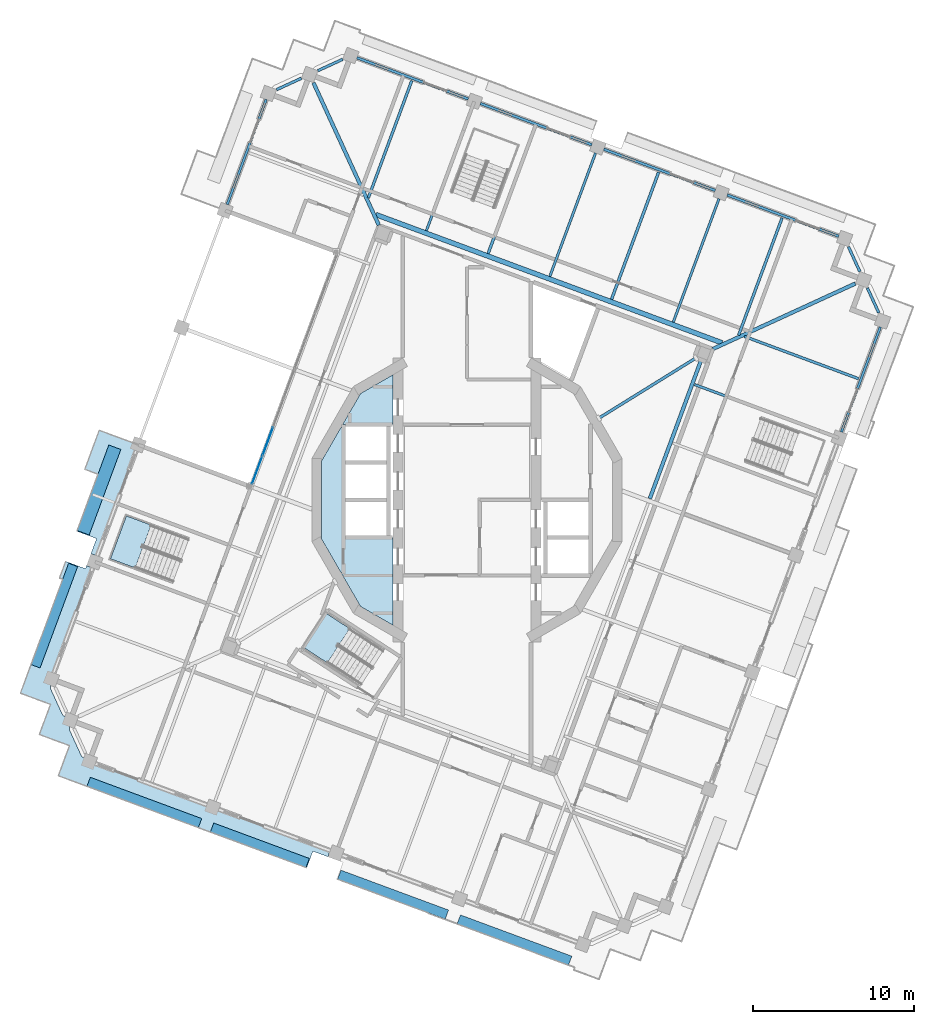
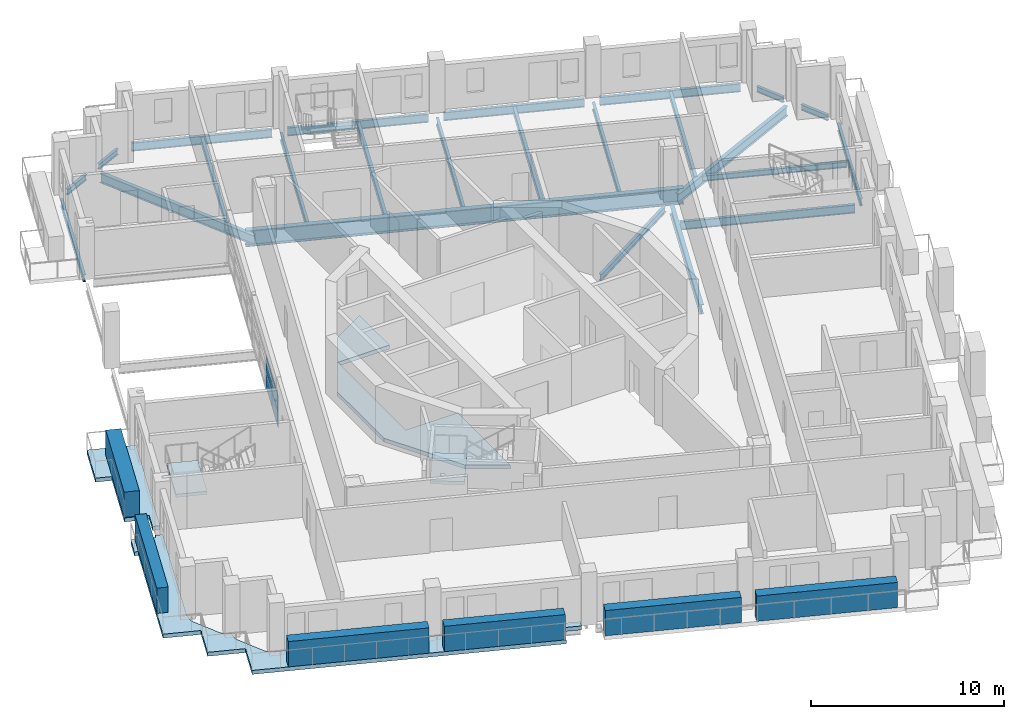
# One storey, part 5 of 20: 24 beams, 10 plates, 5 slabs, 3 elements without a shape of their own.
"""IFC4 building model written with IfcOpenShell, lengths in metres."""

from ifc_helpers import new_model, si_unit, direction, frame, origin, origin_2d, place, context, subcontext, project, spatial, polyline, rectangle, i_section, outline, extrude, material, layer, layer_set, material_profile, profile_set, type_object, element, aggregate, save


model = new_model("IFC4")

# Units and contexts
model_context = context("Model", 3, precision=1e-05, world=origin(), true_north=direction((0.0, 1.0)))
body_context = subcontext(model_context, "Body", "Model", "MODEL_VIEW")
ifc_project = project(units=[si_unit("LENGTHUNIT", "METRE"), si_unit("AREAUNIT", "SQUARE_METRE"), si_unit("VOLUMEUNIT", "CUBIC_METRE"), si_unit("PLANEANGLEUNIT", "RADIAN"), si_unit("MASSUNIT", "GRAM", prefix="KILO")], contexts=[model_context])

# Site, building, storey
site_placement = place(None, origin())
site = spatial("IfcSite", under=ifc_project, at=site_placement, CompositionType="ELEMENT")
building_placement = place(site_placement, origin())
building = spatial("IfcBuilding", under=site, at=building_placement, Name="Cantera Rosa Tower", CompositionType="ELEMENT")
storey_placement = place(building_placement, frame((0.0, 0.0, 309.699951171875)))
storey = spatial("IfcBuildingStorey", under=building, at=storey_placement, Name="L68", CompositionType="ELEMENT", Elevation=309.699951171875)

# Beams
ifc_material_1 = material(Name="Steel ASTM A992 (Fy 345 MPa)", Category="steel")
ifc_material_profile_1 = material_profile(ifc_material_1, i_section(OverallWidth=0.302001953125, OverallDepth=1.010009765625, WebThickness=0.02099609375, FlangeThickness=0.0400390625, FilletRadius=0.030029296875, at=origin_2d()), Name="W1000X350")
ifc_profile_set_1 = profile_set([ifc_material_profile_1], Name="Steel ASTM A992 (Fy 345 MPa)")
beam_type_1 = type_object("IfcBeamType", Name="STEEL BEAM W1000X350", PredefinedType="BEAM", material=ifc_profile_set_1)
beam_1_placement = place(storey_placement, frame((15.891357421875, 9.787841796875, -0.7548828125), z_axis=(-0.937685748232, 0.347484442189, 0.0), x_axis=(-0.347484442189, -0.937685748232, 0.0)))
element("IfcBeam", 1, at=beam_1_placement, inside=storey, type_object=beam_type_1, Name="RB-Z6-07 L68", PredefinedType="BEAM", context=body_context, shape_type="SweptSolid", body=[
    extrude(i_section(OverallWidth=0.302001953125, OverallDepth=1.010009765625, WebThickness=0.02099609375, FlangeThickness=0.0400390625, FilletRadius=0.030029296875, at=origin_2d()), origin(), (0.0, 0.0, 1.0), 23.000244140625),
])
ifc_material_2 = material(Name="Steel ASTM A992 (Fy 345 MPa)", Category="steel")
ifc_material_profile_2 = material_profile(ifc_material_2, i_section(OverallWidth=0.177978515625, OverallDepth=0.406005859375, WebThickness=0.0078125, FlangeThickness=0.0126953125, FilletRadius=0.01025390625, at=origin_2d()), Name="W410X60")
ifc_profile_set_2 = profile_set([ifc_material_profile_2], Name="Steel ASTM A992 (Fy 345 MPa)")
beam_type_2 = type_object("IfcBeamType", Name="STEEL BEAM W410X60", PredefinedType="BEAM", material=ifc_profile_set_2)
beam_2_placement = place(storey_placement, frame((14.262451171875, 8.84521484375, -0.452880859375), z_axis=(-0.849840939707, -0.527039255841, 0.0), x_axis=(0.527039255841, -0.849840939707, 0.0)))
element("IfcBeam", 2, at=beam_2_placement, inside=storey, type_object=beam_type_2, Name="PG-Z6-02 L68", PredefinedType="BEAM", context=body_context, shape_type="SweptSolid", body=[
    extrude(i_section(OverallWidth=0.177978515625, OverallDepth=0.406005859375, WebThickness=0.0078125, FlangeThickness=0.0126953125, FilletRadius=0.01025390625, at=origin_2d()), origin(), (0.0, 0.0, 1.0), 7.118408203125),
])
ifc_material_3 = material(Name="Steel ASTM A992 (Fy 345 MPa)", Category="steel")
ifc_material_profile_3 = material_profile(ifc_material_3, i_section(OverallWidth=0.154052734375, OverallDepth=0.4599609375, WebThickness=0.009033203125, FlangeThickness=0.015380859375, FilletRadius=0.01025390625, at=origin_2d()), Name="W460X68")
ifc_profile_set_3 = profile_set([ifc_material_profile_3], Name="Steel ASTM A992 (Fy 345 MPa)")
beam_type_3 = type_object("IfcBeamType", Name="STEEL BEAM W460X68", PredefinedType="BEAM", material=ifc_profile_set_3)
for number, where, z_axis, x_axis, name in (
    (3, (15.698486328125, 18.764404296875, -0.47998046875), (-0.347476286421, -0.937688770528, 0.0), (0.937688770528, -0.347476286421, 0.0), "G-Z6-01 L68"),
    (4, (8.009521484375, 21.61376953125, -0.47998046875), (-0.347476286421, -0.937688770528, 0.0), (0.937688770528, -0.347476286421, 0.0), "G-Z6-02 L68"),
    (5, (0.3203125, 24.463134765625, -0.47998046875), (-0.347476286421, -0.937688770528, 0.0), (0.937688770528, -0.347476286421, 0.0), "G-Z6-03 L68"),
):
    element("IfcBeam", number, at=place(storey_placement, frame(where, z_axis=z_axis, x_axis=x_axis)), inside=storey, type_object=beam_type_3, Name=name, PredefinedType="BEAM", context=body_context, shape_type="SweptSolid", body=[
        extrude(i_section(OverallWidth=0.154052734375, OverallDepth=0.4599609375, WebThickness=0.009033203125, FlangeThickness=0.015380859375, FilletRadius=0.01025390625, at=origin_2d()), origin(), (0.0, 0.0, 1.0), 8.2001953125),
    ])
ifc_material_4 = material(Name="Steel ASTM A992 (Fy 345 MPa)", Category="steel")
ifc_material_profile_4 = material_profile(ifc_material_4, i_section(OverallWidth=0.166015625, OverallDepth=0.528076171875, WebThickness=0.009765625, FlangeThickness=0.013671875, FilletRadius=0.0126953125, at=origin_2d()), Name="W530X74")
ifc_profile_set_4 = profile_set([ifc_material_profile_4], Name="Steel ASTM A992 (Fy 345 MPa)")
beam_type_4 = type_object("IfcBeamType", Name="STEEL BEAM W530X74", PredefinedType="BEAM", material=ifc_profile_set_4)
beam_3_placement = place(storey_placement, frame((22.808837890625, 3.9931640625, -0.513916015625), z_axis=(-0.937688566, 0.347476838353, 0.0), x_axis=(-0.347476838353, -0.937688566, 0.0)))
element("IfcBeam", 6, at=beam_3_placement, inside=storey, type_object=beam_type_4, Name="G-Z6-11 L68", PredefinedType="BEAM", context=body_context, shape_type="SweptSolid", body=[
    extrude(i_section(OverallWidth=0.166015625, OverallDepth=0.528076171875, WebThickness=0.009765625, FlangeThickness=0.013671875, FilletRadius=0.0126953125, at=origin_2d()), origin(), (0.0, 0.0, 1.0), 9.199951171875),
])
ifc_material_5 = material(Name="Steel ASTM A992 (Fy 345 MPa)", Category="steel")
ifc_material_profile_5 = material_profile(ifc_material_5, i_section(OverallWidth=0.22802734375, OverallDepth=0.60205078125, WebThickness=0.010498046875, FlangeThickness=0.014892578125, FilletRadius=0.0126953125, at=origin_2d()), Name="W610X101")
ifc_profile_set_5 = profile_set([ifc_material_profile_5], Name="Steel ASTM A992 (Fy 345 MPa)")
beam_type_5 = type_object("IfcBeamType", Name="STEEL BEAM W610X101", PredefinedType="BEAM", material=ifc_profile_set_5)
for number, where, z_axis, x_axis, name in (
    (7, (-9.56396484375, 25.992919921875, -0.551025390625), (0.417345508131, -0.908747889595, 0.0), (0.908747889595, 0.417345508131, 0.0), "CB-Z6-01 L68"),
    (8, (24.19287109375, 13.483642578125, -0.551025390625), (-0.908747889595, -0.417345508131, 0.0), (0.417345508131, -0.908747889595, 0.0), "CB-Z6-04 L68"),
):
    element("IfcBeam", number, at=place(storey_placement, frame(where, z_axis=z_axis, x_axis=x_axis)), inside=storey, type_object=beam_type_5, Name=name, PredefinedType="BEAM", context=body_context, shape_type="SweptSolid", body=[
        extrude(i_section(OverallWidth=0.22802734375, OverallDepth=0.60205078125, WebThickness=0.010498046875, FlangeThickness=0.014892578125, FilletRadius=0.0126953125, at=origin_2d()), origin(), (0.0, 0.0, 1.0), 9.758056640625),
    ])
beam_4_placement = place(storey_placement, frame((11.39013671875, 0.087646484375, -0.551025390625), z_axis=(0.347498244979, 0.937680633125, 0.0), x_axis=(-0.937680633125, 0.347498244979, 0.0)))
element("IfcBeam", 9, at=beam_4_placement, inside=storey, type_object=beam_type_5, Name="RB-Z6-06 L68", PredefinedType="BEAM", context=body_context, shape_type="SweptSolid", body=[
    extrude(i_section(OverallWidth=0.22802734375, OverallDepth=0.60205078125, WebThickness=0.010498046875, FlangeThickness=0.014892578125, FilletRadius=0.0126953125, at=origin_2d()), origin(), (0.0, 0.0, 1.0), 9.2099609375),
])
ifc_material_6 = material(Name="Steel ASTM A992 (Fy 345 MPa)", Category="steel")
ifc_material_profile_6 = material_profile(ifc_material_6, i_section(OverallWidth=0.1708984375, OverallDepth=0.35595703125, WebThickness=0.00732421875, FlangeThickness=0.01171875, FilletRadius=0.010009765625, at=origin_2d()), Name="W360X51")
ifc_profile_set_6 = profile_set([ifc_material_profile_6], Name="Steel ASTM A992 (Fy 345 MPa)")
beam_type_6 = type_object("IfcBeamType", Name="STEEL JOIST W360X51", PredefinedType="JOIST", material=ifc_profile_set_6)
for number, where, z_axis, x_axis, name in (
    (10, (19.6298828125, 17.573974609375, -0.427978515625), (-0.347491728417, -0.937683048093, 0.0), (0.937683048093, -0.347491728417, 0.0), "B-Z6-01 L68"),
    (11, (-3.437255859375, 26.1220703125, -0.427978515625), (-0.347491728417, -0.937683048093, 0.0), (0.937683048093, -0.347491728417, 0.0), "B-Z6-04 L68"),
):
    element("IfcBeam", number, at=place(storey_placement, frame(where, z_axis=z_axis, x_axis=x_axis)), inside=storey, type_object=beam_type_6, Name=name, PredefinedType="JOIST", context=body_context, shape_type="SweptSolid", body=[
        extrude(i_section(OverallWidth=0.1708984375, OverallDepth=0.35595703125, WebThickness=0.00732421875, FlangeThickness=0.01171875, FilletRadius=0.010009765625, at=origin_2d()), origin(), (0.0, 0.0, 1.0), 7.800048828125),
    ])
beam_5_placement = place(storey_placement, frame((24.39501953125, 7.553955078125, -0.427978515625), z_axis=(-0.937686277131, 0.347483014951, 0.0), x_axis=(-0.347483014951, -0.937686277131, 0.0)))
element("IfcBeam", 12, at=beam_5_placement, inside=storey, type_object=beam_type_6, Name="B-Z6-14 L68", PredefinedType="JOIST", context=body_context, shape_type="SweptSolid", body=[
    extrude(i_section(OverallWidth=0.1708984375, OverallDepth=0.35595703125, WebThickness=0.00732421875, FlangeThickness=0.01171875, FilletRadius=0.010009765625, at=origin_2d()), origin(), (0.0, 0.0, 1.0), 7.590087890625),
])
ifc_material_7 = material(Name="Steel ASTM A992 (Fy 345 MPa)", Category="steel")
ifc_material_profile_7 = material_profile(ifc_material_7, i_section(OverallWidth=0.177978515625, OverallDepth=0.406005859375, WebThickness=0.0078125, FlangeThickness=0.0126953125, FilletRadius=0.01025390625, at=origin_2d()), Name="W410X60")
ifc_profile_set_7 = profile_set([ifc_material_profile_7], Name="Steel ASTM A992 (Fy 345 MPa)")
beam_type_7 = type_object("IfcBeamType", Name="STEEL JOIST W410X60", PredefinedType="JOIST", material=ifc_profile_set_7)
for number, where, z_axis, x_axis, name in (
    (13, (11.94091796875, 20.42333984375, -0.452880859375), (-0.347492201592, -0.937682872742, 0.0), (0.937682872742, -0.347492201592, 0.0), "B-Z6-02 L68"),
    (14, (4.251708984375, 23.272705078125, -0.452880859375), (-0.347466797349, -0.937692286808, 0.0), (0.937692286808, -0.347466797349, 0.0), "B-Z6-03 L68"),
):
    element("IfcBeam", number, at=place(storey_placement, frame(where, z_axis=z_axis, x_axis=x_axis)), inside=storey, type_object=beam_type_7, Name=name, PredefinedType="JOIST", context=body_context, shape_type="SweptSolid", body=[
        extrude(i_section(OverallWidth=0.177978515625, OverallDepth=0.406005859375, WebThickness=0.0078125, FlangeThickness=0.0126953125, FilletRadius=0.01025390625, at=origin_2d()), origin(), (0.0, 0.0, 1.0), 8.449951171875),
    ])
ifc_material_8 = material(Name="Steel ASTM A992 (Fy 345 MPa)", Category="steel")
ifc_material_profile_8 = material_profile(ifc_material_8, i_section(OverallWidth=0.1708984375, OverallDepth=0.35595703125, WebThickness=0.00732421875, FlangeThickness=0.01171875, FilletRadius=0.010009765625, at=origin_2d()), Name="W360X51")
ifc_profile_set_8 = profile_set([ifc_material_profile_8], Name="Steel ASTM A992 (Fy 345 MPa)")
beam_type_8 = type_object("IfcBeamType", Name="STEEL SPANDREL BEAM W360X51", PredefinedType="SPANDREL", material=ifc_profile_set_8)
for number, where, z_axis, x_axis, name in (
    (15, (-7.74365234375, 27.451416015625, -0.427978515625), (-0.908753529973, -0.417333226286, 0.0), (0.417333226286, -0.908753529973, 0.0), "EB-Z6-05 L68"),
    (16, (-10.31396484375, 26.27099609375, -0.427978515625), (-0.908753529973, -0.417333226286, 0.0), (0.417333226286, -0.908753529973, 0.0), "EB-Z6-06 L68"),
):
    element("IfcBeam", number, at=place(storey_placement, frame(where, z_axis=z_axis, x_axis=x_axis)), inside=storey, type_object=beam_type_8, Name=name, PredefinedType="SPANDREL", context=body_context, shape_type="SweptSolid", body=[
        extrude(i_section(OverallWidth=0.1708984375, OverallDepth=0.35595703125, WebThickness=0.00732421875, FlangeThickness=0.01171875, FilletRadius=0.010009765625, at=origin_2d()), origin(), (0.0, 0.0, 1.0), 1.697021484375),
    ])
for number, where, z_axis, x_axis, name in (
    (17, (25.651123046875, 11.66357421875, -0.427978515625), (-0.417268968709, 0.908783036677, 0.0), (-0.908783036677, -0.417268968709, 0.0), "EB-Z6-25 L68"),
    (18, (24.470947265625, 14.23388671875, -0.427978515625), (-0.417387791404, 0.908728469669, 0.0), (-0.908728469669, -0.417387791404, 0.0), "EB-Z6-26 L68"),
):
    element("IfcBeam", number, at=place(storey_placement, frame(where, z_axis=z_axis, x_axis=x_axis)), inside=storey, type_object=beam_type_8, Name=name, PredefinedType="SPANDREL", context=body_context, shape_type="SweptSolid", body=[
        extrude(i_section(OverallWidth=0.1708984375, OverallDepth=0.35595703125, WebThickness=0.00732421875, FlangeThickness=0.01171875, FilletRadius=0.010009765625, at=origin_2d()), origin(), (0.0, 0.0, 1.0), 1.69677734375),
    ])
ifc_material_9 = material(Name="Steel ASTM A992 (Fy 345 MPa)", Category="steel")
ifc_material_profile_9 = material_profile(ifc_material_9, i_section(OverallWidth=0.154052734375, OverallDepth=0.4599609375, WebThickness=0.009033203125, FlangeThickness=0.015380859375, FilletRadius=0.01025390625, at=origin_2d()), Name="W460X68")
ifc_profile_set_9 = profile_set([ifc_material_profile_9], Name="Steel ASTM A992 (Fy 345 MPa)")
beam_type_9 = type_object("IfcBeamType", Name="STEEL SPANDREL BEAM W460X68", PredefinedType="SPANDREL", material=ifc_profile_set_9)
beam_6_placement = place(storey_placement, frame((-12.50927734375, 24.95166015625, -0.47998046875), z_axis=(-0.347490919506, -0.937683347864, 0.0), x_axis=(0.937683347864, -0.347490919506, 0.0)))
element("IfcBeam", 19, at=beam_6_placement, inside=storey, type_object=beam_type_9, Name="EB-Z6-07 L68", PredefinedType="SPANDREL", context=body_context, shape_type="SweptSolid", body=[
    extrude(i_section(OverallWidth=0.154052734375, OverallDepth=0.4599609375, WebThickness=0.009033203125, FlangeThickness=0.015380859375, FilletRadius=0.01025390625, at=origin_2d()), origin(), (0.0, 0.0, 1.0), 6.980224609375),
])
beam_7_placement = place(storey_placement, frame((23.322998046875, 4.229248046875, -0.47998046875), z_axis=(0.347460165909, 0.937694744097, 0.0), x_axis=(-0.937694744097, 0.347460165909, 0.0)))
element("IfcBeam", 20, at=beam_7_placement, inside=storey, type_object=beam_type_9, Name="EB-Z6-24 L68", PredefinedType="SPANDREL", context=body_context, shape_type="SweptSolid", body=[
    extrude(i_section(OverallWidth=0.154052734375, OverallDepth=0.4599609375, WebThickness=0.009033203125, FlangeThickness=0.015380859375, FilletRadius=0.01025390625, at=origin_2d()), origin(), (0.0, 0.0, 1.0), 6.97998046875),
])
ifc_material_10 = material(Name="Steel ASTM A992 (Fy 345 MPa)", Category="steel")
ifc_material_profile_10 = material_profile(ifc_material_10, i_section(OverallWidth=0.166015625, OverallDepth=0.528076171875, WebThickness=0.009765625, FlangeThickness=0.013671875, FilletRadius=0.0126953125, at=origin_2d()), Name="W530X74")
ifc_profile_set_10 = profile_set([ifc_material_profile_10], Name="Steel ASTM A992 (Fy 345 MPa)")
beam_type_10 = type_object("IfcBeamType", Name="STEEL SPANDREL BEAM W530X74", PredefinedType="SPANDREL", material=ifc_profile_set_10)
beam_8_placement = place(storey_placement, frame((23.1513671875, 16.428955078125, -0.513916015625), z_axis=(-0.937676706507, 0.347508840281, 0.0), x_axis=(-0.347508840281, -0.937676706507, 0.0)))
element("IfcBeam", 21, at=beam_8_placement, inside=storey, type_object=beam_type_10, Name="EB-Z6-01 L68", PredefinedType="SPANDREL", context=body_context, shape_type="SweptSolid", body=[
    extrude(i_section(OverallWidth=0.166015625, OverallDepth=0.528076171875, WebThickness=0.009765625, FlangeThickness=0.013671875, FilletRadius=0.0126953125, at=origin_2d()), origin(), (0.0, 0.0, 1.0), 7.39990234375),
])
for number, where, z_axis, x_axis, name in (
    (22, (15.46240234375, 19.2783203125, -0.513916015625), (-0.937680690562, 0.34749808999, 0.0), (-0.34749808999, -0.937680690562, 0.0), "EB-Z6-02 L68"),
    (23, (7.7734375, 22.127685546875, -0.513916015625), (-0.937680690562, 0.34749808999, 0.0), (-0.34749808999, -0.937680690562, 0.0), "EB-Z6-03 L68"),
):
    element("IfcBeam", number, at=place(storey_placement, frame(where, z_axis=z_axis, x_axis=x_axis)), inside=storey, type_object=beam_type_10, Name=name, PredefinedType="SPANDREL", context=body_context, shape_type="SweptSolid", body=[
        extrude(i_section(OverallWidth=0.166015625, OverallDepth=0.528076171875, WebThickness=0.009765625, FlangeThickness=0.013671875, FilletRadius=0.0126953125, at=origin_2d()), origin(), (0.0, 0.0, 1.0), 7.400146484375),
    ])
beam_9_placement = place(storey_placement, frame((0.084228515625, 24.97705078125, -0.513916015625), z_axis=(-0.937687456783, 0.347479831633, 0.0), x_axis=(-0.347479831633, -0.937687456783, 0.0)))
element("IfcBeam", 24, at=beam_9_placement, inside=storey, type_object=beam_type_10, Name="EB-Z6-04 L68", PredefinedType="SPANDREL", context=body_context, shape_type="SweptSolid", body=[
    extrude(i_section(OverallWidth=0.166015625, OverallDepth=0.528076171875, WebThickness=0.009765625, FlangeThickness=0.013671875, FilletRadius=0.0126953125, at=origin_2d()), origin(), (0.0, 0.0, 1.0), 7.39990234375),
])

# Slab
ifc_material_11 = material(Name="Concrete C35/45", Category="concrete")
ifc_layer_1 = layer(ifc_material_11, 0.25)
ifc_layer_set_1 = layer_set([ifc_layer_1], Name="COMPOSITE FLOOR SLAB 250 C35/45")
slab_type_1 = type_object("IfcSlabType", Name="COMPOSITE FLOOR SLAB 250 C35/45", PredefinedType="FLOOR", material=ifc_layer_set_1)
slab_1_placement = place(storey_placement, frame((0.0, 0.0, -0.25)))
element("IfcSlab", 25, at=slab_1_placement, inside=storey, type_object=slab_type_1, Name="SLAB L68 floor 1", PredefinedType="FLOOR", context=body_context, shape_type="SweptSolid", body=[
    extrude(outline(polyline([(-7.699951171875, -2.35009765625), (-4.60009765625, -2.35009765625), (-4.60009765625, -7.804931640625), (-6.6318359375, -6.6318359375), (-9.059326171875, -2.427490234375), (-9.059326171875, 2.427490234375), (-6.6318359375, 6.6318359375), (-4.60009765625, 7.804931640625), (-4.60009765625, 4.699951171875), (-7.699951171875, 4.699951171875), (-7.699951171875, 2.35009765625), (-7.699951171875, 0.0), (-7.699951171875, -2.35009765625)])), origin(), (0.0, 0.0, 1.0), 0.25),
])

# Curtain wall, plates
ifc_material_12 = material(Name="Aluminium frame with clear glass", Category="aluminium")
curtain_wall_type = type_object("IfcCurtainWallType", Name="CW1 TERRACE POCKET GLAZING", PredefinedType="NOTDEFINED", material=ifc_material_12)
curtain_wall_placement = place(storey_placement, origin())
curtain_wall = element("IfcCurtainWall", 26, at=curtain_wall_placement, inside=storey, type_object=curtain_wall_type, Name="CW1 CW1", PredefinedType="NOTDEFINED")
ifc_material_13 = material(Name="Aluminium frame with clear glass", Category="aluminium")
ifc_layer_2 = layer(ifc_material_13, 0.028076171875)
ifc_layer_set_2 = layer_set([ifc_layer_2], Name="CW-PANEL POCKET")
plate_type_1 = type_object("IfcPlateType", Name="CW-PANEL POCKET", PredefinedType="CURTAIN_PANEL", material=ifc_layer_set_2)
plate_1_placement = place(storey_placement, frame((-12.406982421875, 3.643798828125, 0.06005859375), z_axis=(0.0, 0.0, 1.0), x_axis=(-0.347481234472, -0.93768693693, 0.0)))
plate_1 = element("IfcPlate", 27, at=plate_1_placement, type_object=plate_type_1, Name="CW1 panel 7.1", PredefinedType="CURTAIN_PANEL", context=body_context, shape_type="SweptSolid", body=[
    extrude(rectangle(XDim=1.853759765625, YDim=0.028076171875, at=origin_2d()), origin(), (0.0, 0.0, 1.0), 0.97412109375),
])
plate_2_placement = place(storey_placement, frame((-12.406982421875, 3.643798828125, 1.093994140625), z_axis=(0.0, 0.0, 1.0), x_axis=(-0.347481234472, -0.93768693693, 0.0)))
plate_2 = element("IfcPlate", 28, at=plate_2_placement, type_object=plate_type_1, Name="CW1 panel 7.2", PredefinedType="CURTAIN_PANEL", context=body_context, shape_type="SweptSolid", body=[
    extrude(rectangle(XDim=1.853759765625, YDim=0.028076171875, at=origin_2d()), origin(), (0.0, 0.0, 1.0), 0.97412109375),
])
plate_3_placement = place(storey_placement, frame((-13.066650390625, 1.863525390625, 0.06005859375), z_axis=(0.0, 0.0, 1.0), x_axis=(-0.347481234472, -0.93768693693, 0.0)))
plate_3 = element("IfcPlate", 29, at=plate_3_placement, type_object=plate_type_1, Name="CW1 panel 8.1", PredefinedType="CURTAIN_PANEL", context=body_context, shape_type="SweptSolid", body=[
    extrude(rectangle(XDim=1.82373046875, YDim=0.028076171875, at=origin_2d()), origin(), (0.0, 0.0, 1.0), 0.97412109375),
])
plate_4_placement = place(storey_placement, frame((-13.066650390625, 1.863525390625, 1.093994140625), z_axis=(0.0, 0.0, 1.0), x_axis=(-0.347481234472, -0.93768693693, 0.0)))
plate_4 = element("IfcPlate", 30, at=plate_4_placement, type_object=plate_type_1, Name="CW1 panel 8.2", PredefinedType="CURTAIN_PANEL", context=body_context, shape_type="SweptSolid", body=[
    extrude(rectangle(XDim=1.82373046875, YDim=0.028076171875, at=origin_2d()), origin(), (0.0, 0.0, 1.0), 0.97412109375),
])
aggregate(curtain_wall, [plate_1, plate_2, plate_3, plate_4])

# Slabs
ifc_material_14 = material(Name="Concrete C35/45", Category="concrete")
ifc_layer_3 = layer(ifc_material_14, 0.25)
ifc_layer_set_3 = layer_set([ifc_layer_3], Name="LOGGIA SLAB 250 C35/45")
slab_type_2 = type_object("IfcSlabType", Name="LOGGIA SLAB 250 C35/45", PredefinedType="FLOOR", material=ifc_layer_set_3)
slab_2_placement = place(storey_placement, frame((0.0, 0.0, -0.25)))
element("IfcSlab", 31, at=slab_2_placement, inside=storey, type_object=slab_type_2, Name="LOGGIA SLAB L68 1", PredefinedType="FLOOR", context=body_context, shape_type="SweptSolid", body=[
    extrude(outline(polyline([(-22.90673828125, 4.340087890625), (-20.48046875, 3.44091796875), (-23.044921875, -3.47900390625), (-23.419921875, -3.340087890625), (-23.072509765625, -2.40234375), (-24.3017578125, -1.947021484375), (-22.98388671875, 1.609375), (-23.805908203125, 1.913818359375), (-22.90673828125, 4.340087890625)])), origin(), (0.0, 0.0, 1.0), 0.25),
])
slab_3_placement = place(storey_placement, frame((0.0, 0.0, -0.25)))
element("IfcSlab", 32, at=slab_3_placement, inside=storey, type_object=slab_type_2, Name="LOGGIA SLAB L68 2", PredefinedType="FLOOR", context=body_context, shape_type="SweptSolid", body=[
    extrude(outline(polyline([(-17.76513671875, -20.024658203125), (-24.047607421875, -17.696533203125), (-25.454345703125, -17.17529296875), (-24.93310546875, -15.768798828125), (-24.75927734375, -15.300048828125), (-25.22802734375, -15.126220703125), (-26.634765625, -14.60498046875), (-26.11328125, -13.198486328125), (-25.939697265625, -12.729736328125), (-26.408447265625, -12.555908203125), (-27.815185546875, -12.03466796875), (-27.2939453125, -10.628173828125), (-25.18505859375, -4.937255859375), (-25.3828125, -4.864013671875), (-24.996826171875, -3.822265625), (-23.767578125, -4.27783203125), (-23.697998046875, -4.09033203125), (-23.322998046875, -4.229248046875), (-25.88720703125, -11.1494140625), (-25.947509765625, -11.6162109375), (-25.95068359375, -11.6455078125), (-25.950927734375, -11.6748046875), (-25.948486328125, -11.7041015625), (-25.943115234375, -11.733154296875), (-25.934814453125, -11.76123046875), (-25.923828125, -11.788818359375), (-25.215576171875, -13.330810546875), (-25.201904296875, -13.35693359375), (-25.18603515625, -13.381591796875), (-25.16748046875, -13.404541015625), (-25.14697265625, -13.42578125), (-25.12451171875, -13.444580078125), (-25.10009765625, -13.461181640625), (-24.706787109375, -13.7197265625), (-24.76708984375, -14.186279296875), (-24.770263671875, -14.2158203125), (-24.7705078125, -14.2451171875), (-24.76806640625, -14.2744140625), (-24.7626953125, -14.303466796875), (-24.75439453125, -14.331787109375), (-24.743408203125, -14.35888671875), (-24.03515625, -15.901123046875), (-24.021484375, -15.92724609375), (-24.005615234375, -15.951904296875), (-23.987060546875, -15.974853515625), (-23.966552734375, -15.99609375), (-23.944091796875, -16.014892578125), (-23.919677734375, -16.031494140625), (-23.526611328125, -16.2900390625), (-8.5234375, -21.849853515625), (-8.66259765625, -22.224853515625), (-9.60009765625, -21.87744140625), (-9.982421875, -22.90869140625), (-10.076171875, -22.8740234375), (-14.9521484375, -21.067138671875), (-17.76513671875, -20.024658203125)])), origin(), (0.0, 0.0, 1.0), 0.25),
])

# Plates
ifc_material_15 = material(Name="Cantera stone planter with soil", Category="masonry")
plate_type_2 = type_object("IfcPlateType", Name="PLANTER 600", PredefinedType="USERDEFINED", material=ifc_material_15)
plate_5_placement = place(storey_placement, frame((-25.704345703125, -7.201904296875, 0.0), z_axis=(0.0, 0.0, 1.0), x_axis=(-0.347481234489, -0.937686936924, 0.0)))
element("IfcPlate", 33, at=plate_5_placement, inside=storey, type_object=plate_type_2, Name="PLANTER L68-09", ObjectType="PLANTER", PredefinedType="USERDEFINED", context=body_context, shape_type="SweptSolid", body=[
    extrude(rectangle(XDim=6.72998046875, YDim=0.60009765625, at=origin_2d()), origin(), (0.0, 0.0, 1.0), 1.60009765625),
])
plate_6_placement = place(storey_placement, frame((-20.098876953125, -18.83984375, 0.0), z_axis=(0.0, 0.0, 1.0), x_axis=(0.937686936924, -0.347481234489, 0.0)))
element("IfcPlate", 34, at=plate_6_placement, inside=storey, type_object=plate_type_2, Name="PLANTER L68-10", ObjectType="PLANTER", PredefinedType="USERDEFINED", context=body_context, shape_type="SweptSolid", body=[
    extrude(rectangle(XDim=7.39990234375, YDim=0.60009765625, at=origin_2d()), origin(), (0.0, 0.0, 1.0), 1.60009765625),
])
plate_7_placement = place(storey_placement, frame((-12.902099609375, -21.5068359375, 0.0), z_axis=(0.0, 0.0, 1.0), x_axis=(0.937686936924, -0.347481234489, 0.0)))
element("IfcPlate", 35, at=plate_7_placement, inside=storey, type_object=plate_type_2, Name="PLANTER L68-11", ObjectType="PLANTER", PredefinedType="USERDEFINED", context=body_context, shape_type="SweptSolid", body=[
    extrude(rectangle(XDim=6.35009765625, YDim=0.60009765625, at=origin_2d()), origin(), (0.0, 0.0, 1.0), 1.60009765625),
])
plate_8_placement = place(storey_placement, frame((-4.603759765625, -24.58203125, 0.0), z_axis=(0.0, 0.0, 1.0), x_axis=(0.937686936924, -0.347481234489, 0.0)))
element("IfcPlate", 36, at=plate_8_placement, inside=storey, type_object=plate_type_2, Name="PLANTER L68-12", ObjectType="PLANTER", PredefinedType="USERDEFINED", context=body_context, shape_type="SweptSolid", body=[
    extrude(rectangle(XDim=7.14990234375, YDim=0.60009765625, at=origin_2d()), origin(), (0.0, 0.0, 1.0), 1.60009765625),
])
plate_9_placement = place(storey_placement, frame((2.958740234375, -27.4130859375, 0.0), z_axis=(0.0, 0.0, 1.0), x_axis=(0.937686936924, -0.347481234489, 0.0)))
element("IfcPlate", 37, at=plate_9_placement, inside=storey, type_object=plate_type_2, Name="PLANTER L68-13", ObjectType="PLANTER", PredefinedType="USERDEFINED", context=body_context, shape_type="SweptSolid", body=[
    extrude(rectangle(XDim=7.39990234375, YDim=0.60009765625, at=origin_2d()), origin(), (0.0, 0.0, 1.0), 1.60009765625),
])
ifc_material_16 = material(Name="Cantera stone planter with soil", Category="masonry")
plate_type_3 = type_object("IfcPlateType", Name="PLANTER 800", PredefinedType="USERDEFINED", material=ifc_material_16)
plate_10_placement = place(storey_placement, frame((-22.922607421875, 0.6240234375, 0.0), z_axis=(0.0, 0.0, 1.0), x_axis=(-0.347481234489, -0.937686936924, 0.0)))
element("IfcPlate", 38, at=plate_10_placement, inside=storey, type_object=plate_type_3, Name="PLANTER L68-08", ObjectType="PLANTER", PredefinedType="USERDEFINED", context=body_context, shape_type="SweptSolid", body=[
    extrude(rectangle(XDim=5.679931640625, YDim=0.800048828125, at=origin_2d()), origin(), (0.0, 0.0, 1.0), 1.60009765625),
])

# Stair, slab
ifc_material_17 = material(Name="Concrete C35/45", Category="concrete")
stair_type_1 = type_object("IfcStairType", Name="EXIT STAIR 1350 DOGLEG", PredefinedType="HALF_TURN_STAIR", material=ifc_material_17)
stair_1_placement = place(storey_placement, origin())
stair_1 = element("IfcStair", 39, at=stair_1_placement, inside=storey, type_object=stair_type_1, Name="L68 ST-63", PredefinedType="HALF_TURN_STAIR")
ifc_material_18 = material(Name="Concrete C35/45", Category="concrete")
ifc_layer_4 = layer(ifc_material_18, 0.199951171875)
ifc_layer_set_4 = layer_set([ifc_layer_4], Name="STAIR LANDING 200")
slab_type_3 = type_object("IfcSlabType", Name="STAIR LANDING 200", PredefinedType="LANDING", material=ifc_layer_set_4)
slab_4_placement = place(storey_placement, frame((0.0, 0.0, 1.60009765625)))
slab_4 = element("IfcSlab", 40, at=slab_4_placement, type_object=slab_type_3, Name="ST-63 landing 1", PredefinedType="LANDING", context=body_context, shape_type="SweptSolid", body=[
    extrude(outline(polyline([(-19.67626953125, -1.56005859375), (-21.2158203125, -0.989501953125), (-22.206298828125, -3.661865234375), (-20.66650390625, -4.232421875), (-19.67626953125, -1.56005859375)])), origin(), (0.0, 0.0, 1.0), 0.199951171875),
])
aggregate(stair_1, [slab_4])

ifc_material_19 = material(Name="Concrete C35/45", Category="concrete")
stair_type_2 = type_object("IfcStairType", Name="EXIT STAIR 1200 DOGLEG", PredefinedType="HALF_TURN_STAIR", material=ifc_material_19)
stair_2_placement = place(storey_placement, origin())
stair_2 = element("IfcStair", 41, at=stair_2_placement, inside=storey, type_object=stair_type_2, Name="L68 ST-64", PredefinedType="HALF_TURN_STAIR")
slab_5_placement = place(storey_placement, frame((0.0, 0.0, 1.60009765625)))
slab_5 = element("IfcSlab", 42, at=slab_5_placement, type_object=slab_type_3, Name="ST-64 landing 1", PredefinedType="LANDING", context=body_context, shape_type="SweptSolid", body=[
    extrude(outline(polyline([(-7.30908203125, -8.009033203125), (-8.81201171875, -7.032958984375), (-10.20068359375, -9.171630859375), (-8.69775390625, -10.1474609375), (-7.30908203125, -8.009033203125)])), origin(), (0.0, 0.0, 1.0), 0.199951171875),
])
aggregate(stair_2, [slab_5])

save(model, "model.ifc")
